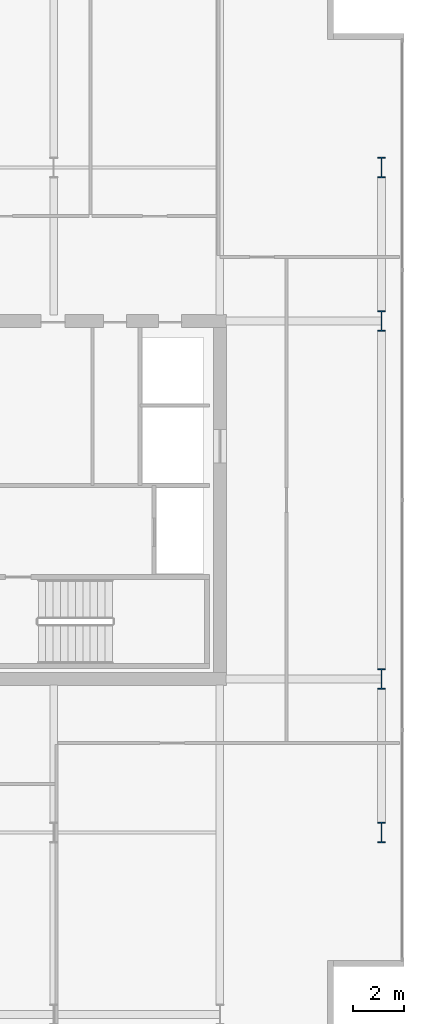
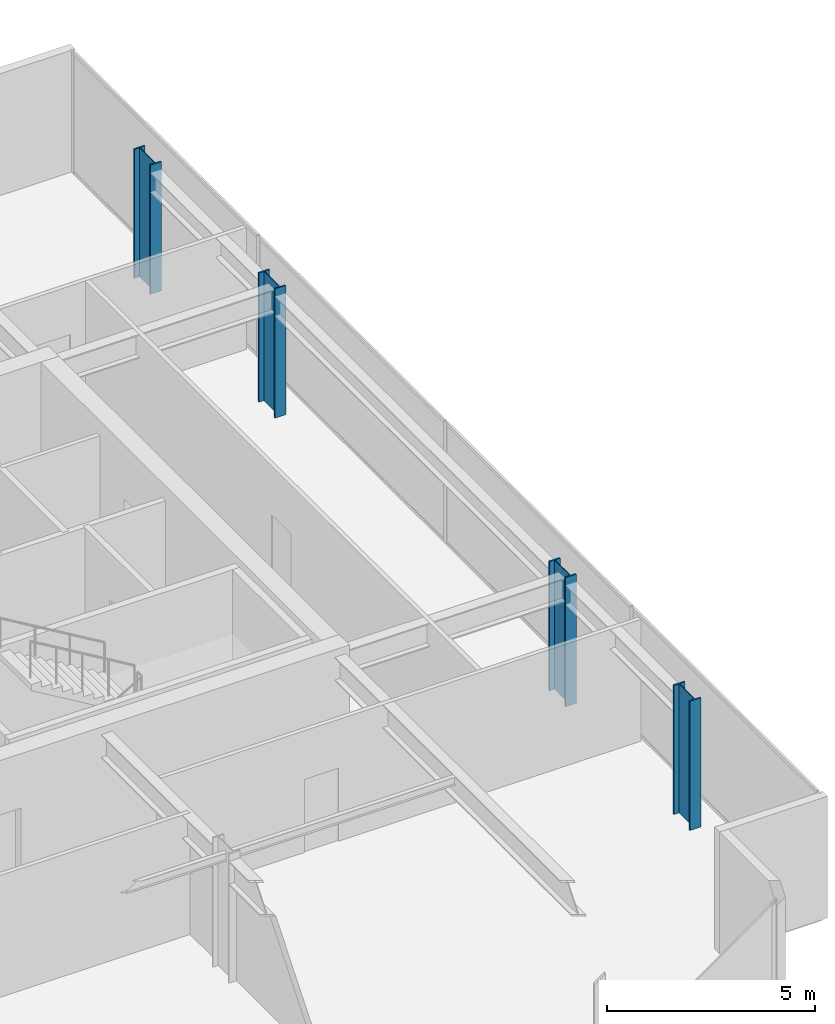
# One storey, part 2 of 23: 4 columns.
"""IFC4 building model written with IfcOpenShell, lengths in metres."""

import ifcopenshell
import ifcopenshell.guid

model = None  # the IFC model being written
_history = None  # IfcOwnerHistory: only IFC2X3 demands one
_inside = {}  # id of a spatial element -> (the spatial element, [elements in it])
_under = {}  # id of a project, library or spatial element -> (it, [spatial elements below it])
_declared = {}  # id of a project -> (the project, [libraries it declares])
_typed = {}  # id of a type object -> (the type object, [elements of that type])
_made_of = {}  # id of a material, layer set ... -> (it, [elements and type objects made of it])


def new_model(schema):
    """Start an empty IFC model of exactly this schema.

    Asked for "IFC4X3", IfcOpenShell would pick the latest addendum, in which some entities
    have other attributes; the version numbers below select the first issue.
    IFC2X3 requires an IfcOwnerHistory on every rooted entity: one is made here for all.
    """
    global model, _history
    if schema == "IFC4X3":
        model = ifcopenshell.file(schema_version=(4, 3, 0, 0))
    else:
        model = ifcopenshell.file(schema=schema)
    _inside.clear()
    _under.clear()
    _declared.clear()
    _typed.clear()
    _made_of.clear()
    _history = None
    if model.schema == "IFC2X3":
        org = make("IfcOrganization", Name="unknown")
        user = make(
            "IfcPersonAndOrganization",
            ThePerson=make("IfcPerson", FamilyName="unknown"),
            TheOrganization=org,
        )
        app = make(
            "IfcApplication",
            ApplicationDeveloper=org,
            Version="unknown",
            ApplicationFullName="unknown",
            ApplicationIdentifier="unknown",
        )
        _history = make(
            "IfcOwnerHistory",
            OwningUser=user,
            OwningApplication=app,
            ChangeAction="ADDED",
            CreationDate=0,
        )
    return model


def make(cls, **values):
    """One entity of the class cls with the attributes given. An attribute that is None is left unset."""
    return model.create_entity(
        cls, **{name: value for name, value in values.items() if value is not None}
    )


def rooted(cls, **values):
    """An entity with a GlobalId (a new one), such as an element, a storey or a relation."""
    return make(cls, GlobalId=ifcopenshell.guid.new(), OwnerHistory=_history, **values)


def si_unit(unit_type, name, prefix=None):
    """IfcSIUnit, for example si_unit("LENGTHUNIT", "METRE", prefix="MILLI")."""
    return make("IfcSIUnit", UnitType=unit_type, Prefix=prefix, Name=name)


def assignment(units):
    """IfcUnitAssignment: the units of a project."""
    return None if units is None else make("IfcUnitAssignment", Units=units)


def point(xyz):
    """IfcCartesianPoint."""
    return None if xyz is None else make("IfcCartesianPoint", Coordinates=xyz)


def direction(xyz):
    """IfcDirection."""
    return None if xyz is None else make("IfcDirection", DirectionRatios=xyz)


def frame(location, z_axis=None, x_axis=None):
    """IfcAxis2Placement3D, a coordinate frame: its origin and axes. An axis left out is left unset."""
    return make(
        "IfcAxis2Placement3D",
        Location=point(location),
        Axis=direction(z_axis),
        RefDirection=direction(x_axis),
    )


def frame_2d(location, x_axis=None):
    """IfcAxis2Placement2D, a coordinate frame in the plane: its origin and x axis."""
    return make(
        "IfcAxis2Placement2D", Location=point(location), RefDirection=direction(x_axis)
    )


def origin():
    """The frame at (0, 0, 0) with its axes left unset."""
    return frame((0.0, 0.0, 0.0))


def origin_2d():
    """The frame at (0, 0) in the plane with its x axis left unset."""
    return frame_2d((0.0, 0.0))


def place(relative_to, where):
    """IfcLocalPlacement: puts the frame where relative to a parent placement (None: the world)."""
    return make(
        "IfcLocalPlacement", PlacementRelTo=relative_to, RelativePlacement=where
    )


def context(
    kind, dimensions, precision=None, world=None, true_north=None, identifier=None
):
    """IfcGeometricRepresentationContext, for example the 3D "Model" context."""
    return make(
        "IfcGeometricRepresentationContext",
        ContextIdentifier=identifier,
        ContextType=kind,
        CoordinateSpaceDimension=dimensions,
        Precision=precision,
        WorldCoordinateSystem=world,
        TrueNorth=true_north,
    )


def subcontext(parent, identifier, kind, view, scale=None):
    """IfcGeometricRepresentationSubContext, for example "Body" below "Model"."""
    return make(
        "IfcGeometricRepresentationSubContext",
        ContextIdentifier=identifier,
        ContextType=kind,
        ParentContext=parent,
        TargetScale=scale,
        TargetView=view,
    )


def project(units=None, contexts=None):
    """IfcProject with its units and contexts."""
    return rooted(
        "IfcProject",
        Name="project",
        RepresentationContexts=contexts,
        UnitsInContext=assignment(units),
    )


def spatial(cls, under=None, at=None, **own):
    """A site, building, storey or space (cls), placed at a placement, below another one or the project."""
    s = rooted(cls, ObjectPlacement=at, **own)
    if under is not None:
        _under.setdefault(under.id(), (under, []))[1].append(s)
    return s


def profile(cls, at=None, kind="AREA", **sizes):
    """A parametric profile (cls). Its sizes go by their IFC names, for example OverallWidth=200.0."""
    return make(cls, ProfileType=kind, Position=at, **sizes)


def i_section(**sizes):
    """IfcIShapeProfileDef."""
    return profile("IfcIShapeProfileDef", **sizes)


def extrude(swept, where, along, depth):
    """IfcExtrudedAreaSolid: the profile swept, set in the frame where, extruded along a direction by depth."""
    return make(
        "IfcExtrudedAreaSolid",
        SweptArea=swept,
        Position=where,
        ExtrudedDirection=direction(along),
        Depth=depth,
    )


def shape(context_of_items, identifier, shape_type, items):
    """IfcShapeRepresentation: the items that make up one representation, for example the "Body"."""
    return make(
        "IfcShapeRepresentation",
        ContextOfItems=context_of_items,
        RepresentationIdentifier=identifier,
        RepresentationType=shape_type,
        Items=items,
    )


def material(Name=None, Category=None):
    """IfcMaterial."""
    return make("IfcMaterial", Name=Name, Category=Category)


def material_profile(
    of_material, cross_section, Name=None, Category=None, Priority=None
):
    """IfcMaterialProfile: a cross section and its material."""
    return make(
        "IfcMaterialProfile",
        Name=Name,
        Material=of_material,
        Profile=cross_section,
        Priority=Priority,
        Category=Category,
    )


def profile_set(profiles, Name=None, composite=None):
    """IfcMaterialProfileSet."""
    return make(
        "IfcMaterialProfileSet",
        Name=Name,
        MaterialProfiles=profiles,
        CompositeProfile=composite,
    )


def made_of(thing, what):
    """Note that an element or type object is made of a material, layer set ...; save() writes the relation."""
    if what is not None:
        _made_of.setdefault(what.id(), (what, []))[1].append(thing)
    return thing


def type_object(cls, material=None, **own):
    """A type object (cls), such as IfcWallType, which elements share."""
    return made_of(rooted(cls, **own), material)


def element(
    cls,
    number,
    at=None,
    inside=None,
    cuts=None,
    type_object=None,
    material=None,
    context=None,
    identifier="Body",
    shape_type=None,
    held_by="IfcProductDefinitionShape",
    body=None,
    shapes=None,
    **own,
):
    """One element of the class cls, such as IfcWall. Its Tag is "e" and its number.

    at: its placement. inside: the storey or other place that contains it. cuts: it is an
    opening in that element (IfcRelVoidsElement). A single representation is given by context,
    identifier, shape_type and body (its items); several are given by shapes. held_by: the class
    of the entity that holds the representations. save() writes the other relations.
    """
    e = rooted(cls, Tag="e%d" % number, ObjectPlacement=at, **own)
    if body is not None:
        shapes = [shape(context, identifier, shape_type, body)]
    if shapes is not None:
        e.Representation = make(held_by, Representations=shapes)
    if inside is not None:
        _inside.setdefault(inside.id(), (inside, []))[1].append(e)
    if cuts is not None:
        rooted(
            "IfcRelVoidsElement", RelatingBuildingElement=cuts, RelatedOpeningElement=e
        )
    if type_object is not None:
        _typed.setdefault(type_object.id(), (type_object, []))[1].append(e)
    return made_of(e, material)


def aggregate(whole, parts):
    """IfcRelAggregates: a whole, such as a stair, and the parts it consists of."""
    return rooted("IfcRelAggregates", RelatingObject=whole, RelatedObjects=parts)


def save(model, path):
    """Write the relations noted so far, then the file.

    IfcRelAggregates (storeys below a building ...), IfcRelContainedInSpatialStructure (elements
    in a storey), IfcRelDefinesByType, IfcRelAssociatesMaterial and IfcRelDeclares: one each for
    every whole, place, type object, material and project.
    """
    for whole, parts in _under.values():
        aggregate(whole, parts)
    for where, things in _inside.values():
        rooted(
            "IfcRelContainedInSpatialStructure",
            RelatedElements=things,
            RelatingStructure=where,
        )
    for kind, things in _typed.values():
        rooted("IfcRelDefinesByType", RelatedObjects=things, RelatingType=kind)
    for what, things in _made_of.values():
        rooted("IfcRelAssociatesMaterial", RelatedObjects=things, RelatingMaterial=what)
    for by, libraries in _declared.values():
        rooted("IfcRelDeclares", RelatingContext=by, RelatedDefinitions=libraries)
    model.write(path)


model = new_model("IFC4")

# Units and contexts
model_context = context("Model", 3, precision=1e-05, world=origin(), true_north=direction((0.0, 1.0)))
body_context = subcontext(model_context, "Body", "Model", "MODEL_VIEW")
ifc_project = project(units=[si_unit("LENGTHUNIT", "METRE"), si_unit("AREAUNIT", "SQUARE_METRE"), si_unit("VOLUMEUNIT", "CUBIC_METRE"), si_unit("PLANEANGLEUNIT", "RADIAN"), si_unit("MASSUNIT", "GRAM", prefix="KILO")], contexts=[model_context])

# Site, building, storey
site_placement = place(None, origin())
site = spatial("IfcSite", under=ifc_project, at=site_placement, CompositionType="ELEMENT")
building_placement = place(site_placement, origin())
building = spatial("IfcBuilding", under=site, at=building_placement, Name="Putna Gate Headquarters", CompositionType="ELEMENT")
storey_placement = place(building_placement, frame((0.0, 0.0, 229.0)))
storey = spatial("IfcBuildingStorey", under=building, at=storey_placement, Name="L57", CompositionType="ELEMENT", Elevation=229.0)

# Columns
ifc_material = material(Name="Steel S460M", Category="steel")
ifc_material_profile = material_profile(ifc_material, i_section(OverallWidth=0.302978515625, OverallDepth=0.81396484375, WebThickness=0.02099609375, FlangeThickness=0.0400390625, at=origin_2d()), Name="Steel S460M")
ifc_profile_set = profile_set([ifc_material_profile], Name="Steel S460M")
column_type = type_object("IfcColumnType", Name="COL-STL-HEM800-EXT", PredefinedType="COLUMN", material=ifc_profile_set)
for number, where, z_axis, x_axis, name in (
    (1, (71.320068359375, 13.0, 0.0), (0.0, 0.0, 1.0), (1.0, 0.0, 0.0), "L57 Column CP-E13"),
    (2, (71.320068359375, 19.0, 0.0), (0.0, 0.0, 1.0), (1.0, 0.0, 0.0), "L57 Column CP-E19"),
    (3, (71.320068359375, 33.0, 0.0), (0.0, 0.0, 1.0), (1.0, 0.0, 0.0), "L57 Column CP-E33"),
    (4, (71.320068359375, 39.0, 0.0), (0.0, 0.0, 1.0), (1.0, 0.0, 0.0), "L57 Column CP-E39"),
):
    element("IfcColumn", number, at=place(storey_placement, frame(where, z_axis=z_axis, x_axis=x_axis)), inside=storey, type_object=column_type, Name=name, PredefinedType="COLUMN", context=body_context, shape_type="SweptSolid", body=[
        extrude(i_section(OverallWidth=0.302978515625, OverallDepth=0.81396484375, WebThickness=0.02099609375, FlangeThickness=0.0400390625, at=origin_2d()), origin(), (0.0, 0.0, 1.0), 3.800048828125),
    ])

save(model, "model.ifc")
